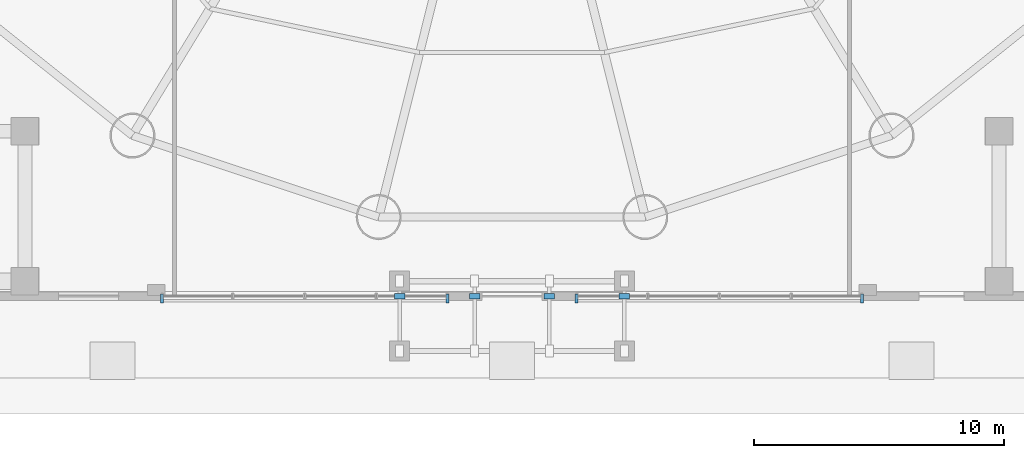
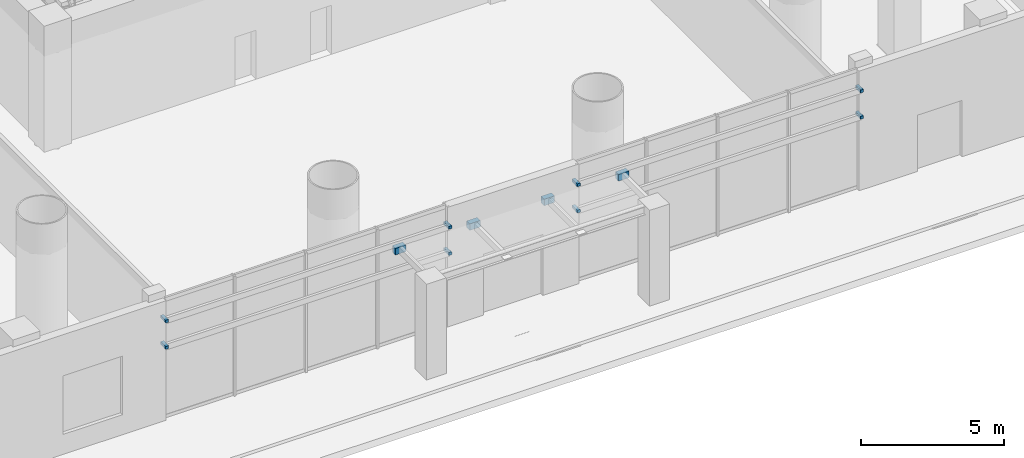
# One storey, part 15 of 25: 12 discrete accessories.
"""IFC4 building model written with IfcOpenShell, lengths in metres."""

import ifcopenshell
import ifcopenshell.guid

model = None  # the IFC model being written
_history = None  # IfcOwnerHistory: only IFC2X3 demands one
_inside = {}  # id of a spatial element -> (the spatial element, [elements in it])
_under = {}  # id of a project, library or spatial element -> (it, [spatial elements below it])
_declared = {}  # id of a project -> (the project, [libraries it declares])
_typed = {}  # id of a type object -> (the type object, [elements of that type])
_made_of = {}  # id of a material, layer set ... -> (it, [elements and type objects made of it])


def new_model(schema):
    """Start an empty IFC model of exactly this schema.

    Asked for "IFC4X3", IfcOpenShell would pick the latest addendum, in which some entities
    have other attributes; the version numbers below select the first issue.
    IFC2X3 requires an IfcOwnerHistory on every rooted entity: one is made here for all.
    """
    global model, _history
    if schema == "IFC4X3":
        model = ifcopenshell.file(schema_version=(4, 3, 0, 0))
    else:
        model = ifcopenshell.file(schema=schema)
    _inside.clear()
    _under.clear()
    _declared.clear()
    _typed.clear()
    _made_of.clear()
    _history = None
    if model.schema == "IFC2X3":
        org = make("IfcOrganization", Name="unknown")
        user = make(
            "IfcPersonAndOrganization",
            ThePerson=make("IfcPerson", FamilyName="unknown"),
            TheOrganization=org,
        )
        app = make(
            "IfcApplication",
            ApplicationDeveloper=org,
            Version="unknown",
            ApplicationFullName="unknown",
            ApplicationIdentifier="unknown",
        )
        _history = make(
            "IfcOwnerHistory",
            OwningUser=user,
            OwningApplication=app,
            ChangeAction="ADDED",
            CreationDate=0,
        )
    return model


def make(cls, **values):
    """One entity of the class cls with the attributes given. An attribute that is None is left unset."""
    return model.create_entity(
        cls, **{name: value for name, value in values.items() if value is not None}
    )


def rooted(cls, **values):
    """An entity with a GlobalId (a new one), such as an element, a storey or a relation."""
    return make(cls, GlobalId=ifcopenshell.guid.new(), OwnerHistory=_history, **values)


def si_unit(unit_type, name, prefix=None):
    """IfcSIUnit, for example si_unit("LENGTHUNIT", "METRE", prefix="MILLI")."""
    return make("IfcSIUnit", UnitType=unit_type, Prefix=prefix, Name=name)


def assignment(units):
    """IfcUnitAssignment: the units of a project."""
    return None if units is None else make("IfcUnitAssignment", Units=units)


def point(xyz):
    """IfcCartesianPoint."""
    return None if xyz is None else make("IfcCartesianPoint", Coordinates=xyz)


def direction(xyz):
    """IfcDirection."""
    return None if xyz is None else make("IfcDirection", DirectionRatios=xyz)


def frame(location, z_axis=None, x_axis=None):
    """IfcAxis2Placement3D, a coordinate frame: its origin and axes. An axis left out is left unset."""
    return make(
        "IfcAxis2Placement3D",
        Location=point(location),
        Axis=direction(z_axis),
        RefDirection=direction(x_axis),
    )


def frame_2d(location, x_axis=None):
    """IfcAxis2Placement2D, a coordinate frame in the plane: its origin and x axis."""
    return make(
        "IfcAxis2Placement2D", Location=point(location), RefDirection=direction(x_axis)
    )


def origin():
    """The frame at (0, 0, 0) with its axes left unset."""
    return frame((0.0, 0.0, 0.0))


def origin_2d():
    """The frame at (0, 0) in the plane with its x axis left unset."""
    return frame_2d((0.0, 0.0))


def place(relative_to, where):
    """IfcLocalPlacement: puts the frame where relative to a parent placement (None: the world)."""
    return make(
        "IfcLocalPlacement", PlacementRelTo=relative_to, RelativePlacement=where
    )


def context(
    kind, dimensions, precision=None, world=None, true_north=None, identifier=None
):
    """IfcGeometricRepresentationContext, for example the 3D "Model" context."""
    return make(
        "IfcGeometricRepresentationContext",
        ContextIdentifier=identifier,
        ContextType=kind,
        CoordinateSpaceDimension=dimensions,
        Precision=precision,
        WorldCoordinateSystem=world,
        TrueNorth=true_north,
    )


def subcontext(parent, identifier, kind, view, scale=None):
    """IfcGeometricRepresentationSubContext, for example "Body" below "Model"."""
    return make(
        "IfcGeometricRepresentationSubContext",
        ContextIdentifier=identifier,
        ContextType=kind,
        ParentContext=parent,
        TargetScale=scale,
        TargetView=view,
    )


def project(units=None, contexts=None):
    """IfcProject with its units and contexts."""
    return rooted(
        "IfcProject",
        Name="project",
        RepresentationContexts=contexts,
        UnitsInContext=assignment(units),
    )


def spatial(cls, under=None, at=None, **own):
    """A site, building, storey or space (cls), placed at a placement, below another one or the project."""
    s = rooted(cls, ObjectPlacement=at, **own)
    if under is not None:
        _under.setdefault(under.id(), (under, []))[1].append(s)
    return s


def profile(cls, at=None, kind="AREA", **sizes):
    """A parametric profile (cls). Its sizes go by their IFC names, for example OverallWidth=200.0."""
    return make(cls, ProfileType=kind, Position=at, **sizes)


def rectangle(**sizes):
    """IfcRectangleProfileDef."""
    return profile("IfcRectangleProfileDef", **sizes)


def extrude(swept, where, along, depth):
    """IfcExtrudedAreaSolid: the profile swept, set in the frame where, extruded along a direction by depth."""
    return make(
        "IfcExtrudedAreaSolid",
        SweptArea=swept,
        Position=where,
        ExtrudedDirection=direction(along),
        Depth=depth,
    )


def shape(context_of_items, identifier, shape_type, items):
    """IfcShapeRepresentation: the items that make up one representation, for example the "Body"."""
    return make(
        "IfcShapeRepresentation",
        ContextOfItems=context_of_items,
        RepresentationIdentifier=identifier,
        RepresentationType=shape_type,
        Items=items,
    )


def source(mapping_origin, context_of_items, identifier, shape_type, items):
    """IfcRepresentationMap: a shape defined once, which mapped items show again and again."""
    return make(
        "IfcRepresentationMap",
        MappingOrigin=mapping_origin,
        MappedRepresentation=shape(context_of_items, identifier, shape_type, items),
    )


def transform(
    local_origin,
    x_axis=None,
    y_axis=None,
    z_axis=None,
    scale=None,
    scale2=None,
    scale3=None,
    uniform=True,
):
    """IfcCartesianTransformationOperator3D, or its non-uniform kind. x_axis, y_axis, z_axis: its Axis1, 2, 3."""
    if uniform:
        return make(
            "IfcCartesianTransformationOperator3D",
            Axis1=direction(x_axis),
            Axis2=direction(y_axis),
            LocalOrigin=point(local_origin),
            Scale=scale,
            Axis3=direction(z_axis),
        )
    return make(
        "IfcCartesianTransformationOperator3DnonUniform",
        Axis1=direction(x_axis),
        Axis2=direction(y_axis),
        LocalOrigin=point(local_origin),
        Scale=scale,
        Axis3=direction(z_axis),
        Scale2=scale2,
        Scale3=scale3,
    )


def mapped(mapping_source, mapping_target):
    """IfcMappedItem: shows the shape of a source again, moved by a transform."""
    return make(
        "IfcMappedItem", MappingSource=mapping_source, MappingTarget=mapping_target
    )


def material(Name=None, Category=None):
    """IfcMaterial."""
    return make("IfcMaterial", Name=Name, Category=Category)


def layer(
    of_material, thickness, ventilated=None, Name=None, Category=None, Priority=None
):
    """IfcMaterialLayer: one layer of a wall or slab, of a material (None: an air gap)."""
    return make(
        "IfcMaterialLayer",
        Material=of_material,
        LayerThickness=thickness,
        IsVentilated=ventilated,
        Name=Name,
        Category=Category,
        Priority=Priority,
    )


def layer_set(layers, Name=None):
    """IfcMaterialLayerSet."""
    return make("IfcMaterialLayerSet", MaterialLayers=layers, LayerSetName=Name)


def made_of(thing, what):
    """Note that an element or type object is made of a material, layer set ...; save() writes the relation."""
    if what is not None:
        _made_of.setdefault(what.id(), (what, []))[1].append(thing)
    return thing


def type_object(cls, material=None, **own):
    """A type object (cls), such as IfcWallType, which elements share."""
    return made_of(rooted(cls, **own), material)


def element(
    cls,
    number,
    at=None,
    inside=None,
    cuts=None,
    type_object=None,
    material=None,
    context=None,
    identifier="Body",
    shape_type=None,
    held_by="IfcProductDefinitionShape",
    body=None,
    shapes=None,
    **own,
):
    """One element of the class cls, such as IfcWall. Its Tag is "e" and its number.

    at: its placement. inside: the storey or other place that contains it. cuts: it is an
    opening in that element (IfcRelVoidsElement). A single representation is given by context,
    identifier, shape_type and body (its items); several are given by shapes. held_by: the class
    of the entity that holds the representations. save() writes the other relations.
    """
    e = rooted(cls, Tag="e%d" % number, ObjectPlacement=at, **own)
    if body is not None:
        shapes = [shape(context, identifier, shape_type, body)]
    if shapes is not None:
        e.Representation = make(held_by, Representations=shapes)
    if inside is not None:
        _inside.setdefault(inside.id(), (inside, []))[1].append(e)
    if cuts is not None:
        rooted(
            "IfcRelVoidsElement", RelatingBuildingElement=cuts, RelatedOpeningElement=e
        )
    if type_object is not None:
        _typed.setdefault(type_object.id(), (type_object, []))[1].append(e)
    return made_of(e, material)


def aggregate(whole, parts):
    """IfcRelAggregates: a whole, such as a stair, and the parts it consists of."""
    return rooted("IfcRelAggregates", RelatingObject=whole, RelatedObjects=parts)


def save(model, path):
    """Write the relations noted so far, then the file.

    IfcRelAggregates (storeys below a building ...), IfcRelContainedInSpatialStructure (elements
    in a storey), IfcRelDefinesByType, IfcRelAssociatesMaterial and IfcRelDeclares: one each for
    every whole, place, type object, material and project.
    """
    for whole, parts in _under.values():
        aggregate(whole, parts)
    for where, things in _inside.values():
        rooted(
            "IfcRelContainedInSpatialStructure",
            RelatedElements=things,
            RelatingStructure=where,
        )
    for kind, things in _typed.values():
        rooted("IfcRelDefinesByType", RelatedObjects=things, RelatingType=kind)
    for what, things in _made_of.values():
        rooted("IfcRelAssociatesMaterial", RelatedObjects=things, RelatingMaterial=what)
    for by, libraries in _declared.values():
        rooted("IfcRelDeclares", RelatingContext=by, RelatedDefinitions=libraries)
    model.write(path)


model = new_model("IFC4")

# Units and contexts
model_context = context("Model", 3, precision=1e-05, world=origin(), true_north=direction((-0.2419218956, 0.970295726276)))
body_context = subcontext(model_context, "Body", "Model", "MODEL_VIEW")
ifc_project = project(units=[si_unit("LENGTHUNIT", "METRE"), si_unit("AREAUNIT", "SQUARE_METRE"), si_unit("VOLUMEUNIT", "CUBIC_METRE"), si_unit("PLANEANGLEUNIT", "RADIAN"), si_unit("MASSUNIT", "GRAM", prefix="KILO")], contexts=[model_context])

# Site, building, storey
site_placement = place(None, origin())
site = spatial("IfcSite", under=ifc_project, at=site_placement, CompositionType="ELEMENT")
building_placement = place(site_placement, origin())
building = spatial("IfcBuilding", under=site, at=building_placement, Name="Cobrevalo Terracotta Tower", CompositionType="ELEMENT")
storey_placement = place(building_placement, origin())
storey = spatial("IfcBuildingStorey", under=building, at=storey_placement, Name="L00", CompositionType="ELEMENT", Elevation=0.0)

# Discrete accessories
ifc_material = material(Name="Brushed stainless steel", Category="steel")
ifc_layer = layer(ifc_material, 0.1201171875)
ifc_layer_set = layer_set([ifc_layer], Name="Brushed stainless steel")
discrete_accessory_type = type_object("IfcDiscreteAccessoryType", Name="Stainless Steel Facade & Canopy Support Bracket", PredefinedType="BRACKET", material=ifc_layer_set)
shared_shape_1 = source(origin(), body_context, "Body", "SweptSolid", [
    extrude(rectangle(XDim=0.1201171875, YDim=0.360107421875, at=origin_2d()), origin(), (0.0, 0.0, 1.0), 0.1201171875),
])
for number, where, z_axis, x_axis, name in (
    (1, (23.989990234375, 2.110107421875, 3.10205078125), (0.0, 0.0, 1.0), (1.0, 0.0, 0.0), "CW-L00-S-LOB1 stainless baguette support bracket 1-A"),
    (2, (35.409912109375, 2.110107421875, 3.10205078125), (0.0, 0.0, 1.0), (1.0, 0.0, 0.0), "CW-L00-S-LOB1 stainless baguette support bracket 1-B"),
    (3, (23.989990234375, 2.110107421875, 4.223876953125), (0.0, 0.0, 1.0), (1.0, 0.0, 0.0), "CW-L00-S-LOB1 stainless baguette support bracket 2-A"),
    (4, (35.409912109375, 2.110107421875, 4.223876953125), (0.0, 0.0, 1.0), (1.0, 0.0, 0.0), "CW-L00-S-LOB1 stainless baguette support bracket 2-B"),
    (5, (40.590087890625, 2.110107421875, 3.10205078125), (0.0, 0.0, 1.0), (1.0, 0.0, 0.0), "CW-L00-S-LOB2 stainless baguette support bracket 1-A"),
    (6, (52.010009765625, 2.110107421875, 3.10205078125), (0.0, 0.0, 1.0), (1.0, 0.0, 0.0), "CW-L00-S-LOB2 stainless baguette support bracket 1-B"),
    (7, (40.590087890625, 2.110107421875, 4.223876953125), (0.0, 0.0, 1.0), (1.0, 0.0, 0.0), "CW-L00-S-LOB2 stainless baguette support bracket 2-A"),
    (8, (52.010009765625, 2.110107421875, 4.223876953125), (0.0, 0.0, 1.0), (1.0, 0.0, 0.0), "CW-L00-S-LOB2 stainless baguette support bracket 2-B"),
):
    element("IfcDiscreteAccessory", number, at=place(storey_placement, frame(where, z_axis=z_axis, x_axis=x_axis)), inside=storey, type_object=discrete_accessory_type, Name=name, PredefinedType="BRACKET", context=body_context, shape_type="MappedRepresentation", body=[
        mapped(shared_shape_1, transform((0.0, 0.0, 0.0), scale=1.0)),
    ])
shared_shape_2 = source(origin(), body_context, "Body", "SweptSolid", [
    extrude(rectangle(XDim=0.219970703125, YDim=0.419921875, at=origin_2d()), origin(), (0.0, 0.0, 1.0), 0.280029296875),
])
for number, where, z_axis, x_axis, name in (
    (9, (33.5, 2.199951171875, 3.75), (0.0, 0.0, 1.0), (0.0, 1.0, 0.0), "L00 entrance canopy wall bracket 1"),
    (10, (36.5, 2.199951171875, 3.75), (0.0, 0.0, 1.0), (0.0, 1.0, 0.0), "L00 entrance canopy wall bracket 2"),
    (11, (39.5, 2.199951171875, 3.75), (0.0, 0.0, 1.0), (0.0, 1.0, 0.0), "L00 entrance canopy wall bracket 3"),
    (12, (42.5, 2.199951171875, 3.75), (0.0, 0.0, 1.0), (0.0, 1.0, 0.0), "L00 entrance canopy wall bracket 4"),
):
    element("IfcDiscreteAccessory", number, at=place(storey_placement, frame(where, z_axis=z_axis, x_axis=x_axis)), inside=storey, type_object=discrete_accessory_type, Name=name, PredefinedType="BRACKET", context=body_context, shape_type="MappedRepresentation", body=[
        mapped(shared_shape_2, transform((0.0, 0.0, 0.0), scale=1.0)),
    ])

save(model, "model.ifc")
